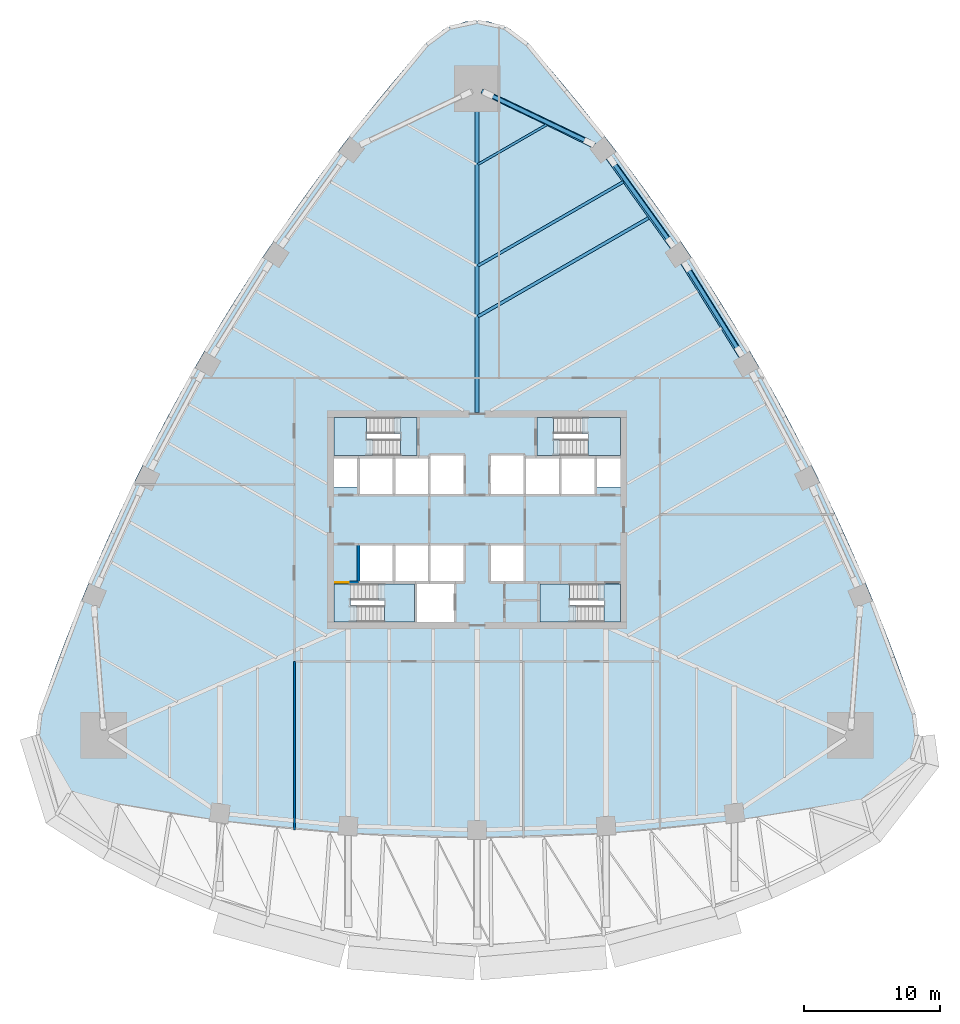
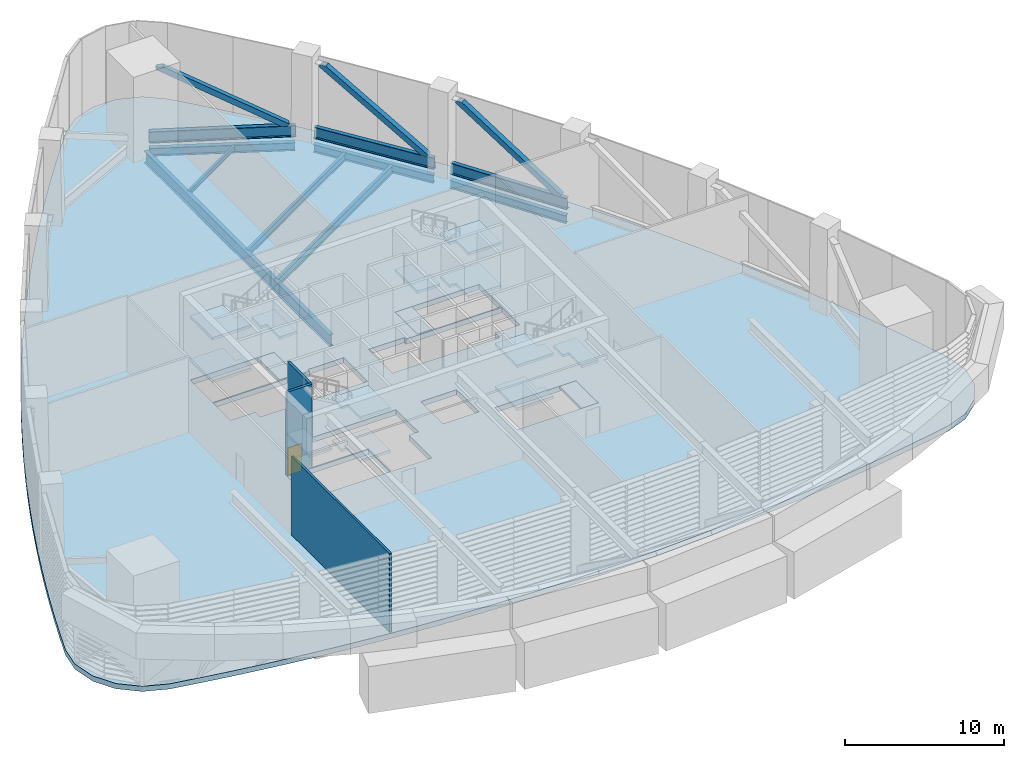
# One storey, part 3 of 15: 17 slabs, 10 beams, 3 members, 3 walls, 1 door, 1 opening, 4 elements without a shape of their own.
"""IFC4 building model written with IfcOpenShell, lengths in metres."""

from ifc_helpers import new_model, si_unit, direction, frame, frame_2d, origin, origin_2d, place, context, subcontext, project, spatial, polyline, rectangle, hollow_rectangle, i_section, outline, extrude, clip, halfspace, material, layer, layer_set, material_profile, profile_set, type_object, element, fill, aggregate, save


model = new_model("IFC4")

# Units and contexts
model_context = context("Model", 3, precision=1e-05, world=origin(), true_north=direction((0.0, 1.0)))
body_context = subcontext(model_context, "Body", "Model", "MODEL_VIEW")
ifc_project = project(units=[si_unit("LENGTHUNIT", "METRE"), si_unit("AREAUNIT", "SQUARE_METRE"), si_unit("VOLUMEUNIT", "CUBIC_METRE"), si_unit("PLANEANGLEUNIT", "RADIAN"), si_unit("MASSUNIT", "GRAM", prefix="KILO")], contexts=[model_context])

# Site, building, storey
site_placement = place(None, origin())
site = spatial("IfcSite", under=ifc_project, at=site_placement, CompositionType="ELEMENT")
building_placement = place(site_placement, origin())
building = spatial("IfcBuilding", under=site, at=building_placement, Name="Sierra Prisma Convention Tower", CompositionType="ELEMENT")
storey_placement = place(building_placement, frame((0.0, 0.0, 34.199951171875)))
storey = spatial("IfcBuildingStorey", under=building, at=storey_placement, Name="L05", CompositionType="ELEMENT", Elevation=34.199951171875)

# Beams
ifc_material_1 = material(Name="Steel ASTM A992 Gr 50", Category="steel")
ifc_material_profile_1 = material_profile(ifc_material_1, i_section(OverallWidth=0.172119140625, OverallDepth=0.35791015625, WebThickness=0.0078125, FlangeThickness=0.01318359375, at=origin_2d()), Name="W360x57")
ifc_profile_set_1 = profile_set([ifc_material_profile_1], Name="Steel ASTM A992 Gr 50")
beam_type_1 = type_object("IfcBeamType", Name="Floor joist W360x57", PredefinedType="JOIST", material=ifc_profile_set_1)
beam_1_placement = place(storey_placement, frame((5.099609375, 28.95703125, -0.578857421875), z_axis=(-0.866024171998, -0.500002133511, 0.0), x_axis=(0.500002133511, -0.866024171998, 0.0)))
element("IfcBeam", 1, at=beam_1_placement, inside=storey, type_object=beam_type_1, Name="Floor joist L05 NE16", PredefinedType="JOIST", context=body_context, shape_type="SweptSolid", body=[
    extrude(i_section(OverallWidth=0.172119140625, OverallDepth=0.35791015625, WebThickness=0.0078125, FlangeThickness=0.01318359375, at=origin_2d()), origin(), (0.0, 0.0, 1.0), 5.818359375),
])
ifc_material_2 = material(Name="Steel ASTM A992 Gr 50", Category="steel")
ifc_material_profile_2 = material_profile(ifc_material_2, i_section(OverallWidth=0.208984375, OverallDepth=0.532958984375, WebThickness=0.01025390625, FlangeThickness=0.015625, at=origin_2d()), Name="W530x92")
ifc_profile_set_2 = profile_set([ifc_material_profile_2], Name="Steel ASTM A992 Gr 50")
beam_type_2 = type_object("IfcBeamType", Name="Floor joist W530x92", PredefinedType="JOIST", material=ifc_profile_set_2)
beam_2_placement = place(storey_placement, frame((10.72021484375, 24.769775390625, -0.66650390625), z_axis=(-0.866031330991, -0.499989733636, 0.0), x_axis=(0.499989733636, -0.866031330991, 0.0)))
element("IfcBeam", 2, at=beam_2_placement, inside=storey, type_object=beam_type_2, Name="Floor joist L05 NE14", PredefinedType="JOIST", context=body_context, shape_type="SweptSolid", body=[
    extrude(i_section(OverallWidth=0.208984375, OverallDepth=0.532958984375, WebThickness=0.01025390625, FlangeThickness=0.015625, at=origin_2d()), origin(), (0.0, 0.0, 1.0), 12.308349609375),
])
ifc_material_3 = material(Name="Steel ASTM A992 Gr 50", Category="steel")
ifc_material_profile_3 = material_profile(ifc_material_3, i_section(OverallWidth=0.22802734375, OverallDepth=0.60302734375, WebThickness=0.010498046875, FlangeThickness=0.014892578125, at=origin_2d()), Name="W610x101")
ifc_profile_set_3 = profile_set([ifc_material_profile_3], Name="Steel ASTM A992 Gr 50")
beam_type_3 = type_object("IfcBeamType", Name="Floor joist W610x101", PredefinedType="JOIST", material=ifc_profile_set_3)
beam_3_placement = place(storey_placement, frame((12.60498046875, 22.14208984375, -0.701416015625), z_axis=(-0.866024193569, -0.500002096149, 0.0), x_axis=(0.500002096149, -0.866024193569, 0.0)))
element("IfcBeam", 3, at=beam_3_placement, inside=storey, type_object=beam_type_3, Name="Floor joist L05 NE13", PredefinedType="JOIST", context=body_context, shape_type="SweptSolid", body=[
    extrude(i_section(OverallWidth=0.22802734375, OverallDepth=0.60302734375, WebThickness=0.010498046875, FlangeThickness=0.014892578125, at=origin_2d()), origin(), (0.0, 0.0, 1.0), 14.48486328125),
])
ifc_material_4 = material(Name="Steel ASTM A992 Gr 50", Category="steel")
ifc_material_profile_4 = material_profile(ifc_material_4, i_section(OverallWidth=0.303955078125, OverallDepth=0.903076171875, WebThickness=0.01513671875, FlangeThickness=0.02001953125, at=origin_2d()), Name="W920x201")
ifc_profile_set_4 = profile_set([ifc_material_profile_4], Name="Steel ASTM A992 Gr 50")
beam_type_4 = type_object("IfcBeamType", Name="Radial girder W920x201", PredefinedType="BEAM", material=ifc_profile_set_4)
beam_4_placement = place(storey_placement, frame((0.0, 31.2470703125, -0.8515625), z_axis=(0.0, -1.0, 0.0), x_axis=(1.0, 0.0, 0.0)))
element("IfcBeam", 4, at=beam_4_placement, inside=storey, type_object=beam_type_4, Name="Radial girder L05 N", PredefinedType="BEAM", context=body_context, shape_type="SweptSolid", body=[
    extrude(i_section(OverallWidth=0.303955078125, OverallDepth=0.903076171875, WebThickness=0.01513671875, FlangeThickness=0.02001953125, at=origin_2d()), origin(), (0.0, 0.0, 1.0), 23.3671875),
])
ifc_material_5 = material(Name="Steel ASTM A992 Gr 50", Category="steel")
ifc_material_profile_5 = material_profile(ifc_material_5, i_section(OverallWidth=0.324951171875, OverallDepth=0.615966796875, WebThickness=0.013916015625, FlangeThickness=0.021484375, at=origin_2d()), Name="W610x174")
ifc_profile_set_5 = profile_set([ifc_material_profile_5], Name="Steel ASTM A992 Gr 50")
beam_type_5 = type_object("IfcBeamType", Name="Spandrel beam W610x174", PredefinedType="BEAM", material=ifc_profile_set_5)
beam_5_placement = place(storey_placement, frame((19.3955078125, 11.867919921875, -0.7080078125), z_axis=(-0.528185415417, 0.849129063771, 0.0), x_axis=(-0.849129063771, -0.528185415417, 0.0)))
element("IfcBeam", 5, at=beam_5_placement, inside=storey, type_object=beam_type_5, Name="Spandrel L05-10", PredefinedType="BEAM", context=body_context, shape_type="SweptSolid", body=[
    extrude(i_section(OverallWidth=0.324951171875, OverallDepth=0.615966796875, WebThickness=0.013916015625, FlangeThickness=0.021484375, at=origin_2d()), origin(), (0.0, 0.0, 1.0), 8.294677734375),
])
beam_6_placement = place(storey_placement, frame((14.36962890625, 19.87548828125, -0.7080078125), z_axis=(-0.582854647492, 0.812576433265, 0.0), x_axis=(-0.812576433265, -0.582854647492, 0.0)))
element("IfcBeam", 6, at=beam_6_placement, inside=storey, type_object=beam_type_5, Name="Spandrel L05-11", PredefinedType="BEAM", context=body_context, shape_type="SweptSolid", body=[
    extrude(i_section(OverallWidth=0.324951171875, OverallDepth=0.615966796875, WebThickness=0.013916015625, FlangeThickness=0.021484375, at=origin_2d()), origin(), (0.0, 0.0, 1.0), 8.294921875),
])
beam_7_placement = place(storey_placement, frame((8.6025390625, 27.3779296875, -0.7080078125), z_axis=(-0.89824258339, 0.439500012952, 0.0), x_axis=(-0.439500012952, -0.89824258339, 0.0)))
element("IfcBeam", 7, at=beam_7_placement, inside=storey, type_object=beam_type_5, Name="Spandrel L05-12", PredefinedType="BEAM", context=body_context, shape_type="SweptSolid", body=[
    extrude(i_section(OverallWidth=0.324951171875, OverallDepth=0.615966796875, WebThickness=0.013916015625, FlangeThickness=0.021484375, at=origin_2d()), origin(), (0.0, 0.0, 1.0), 9.198486328125),
])
ifc_material_6 = material(Name="Steel ASTM A992 Gr 50", Category="steel")
ifc_material_profile_6 = material_profile(ifc_material_6, i_section(OverallWidth=0.2919921875, OverallDepth=0.85888671875, WebThickness=0.017578125, FlangeThickness=0.031005859375, at=origin_2d()), Name="W840x251")
ifc_profile_set_6 = profile_set([ifc_material_profile_6], Name="Steel ASTM A992 Gr 50")
beam_type_6 = type_object("IfcBeamType", Name="Truss chord W840x251", PredefinedType="BEAM", material=ifc_profile_set_6)
beam_8_placement = place(storey_placement, frame((19.482177734375, 11.917724609375, 0.429443359375), z_axis=(-0.528186925878, 0.849128124214, 0.0), x_axis=(-0.849128124214, -0.528186925878, 0.0)))
element("IfcBeam", 8, at=beam_8_placement, inside=storey, type_object=beam_type_6, Name="Belt truss L05-10 bottom chord 1", PredefinedType="BEAM", context=body_context, shape_type="SweptSolid", body=[
    extrude(i_section(OverallWidth=0.2919921875, OverallDepth=0.85888671875, WebThickness=0.017578125, FlangeThickness=0.031005859375, at=origin_2d()), origin(), (0.0, 0.0, 1.0), 8.301513671875),
])
beam_9_placement = place(storey_placement, frame((14.45263671875, 19.93115234375, 0.429443359375), z_axis=(-0.582853421491, 0.812577312664, 0.0), x_axis=(-0.812577312664, -0.582853421491, 0.0)))
element("IfcBeam", 9, at=beam_9_placement, inside=storey, type_object=beam_type_6, Name="Belt truss L05-11 bottom chord 1", PredefinedType="BEAM", context=body_context, shape_type="SweptSolid", body=[
    extrude(i_section(OverallWidth=0.2919921875, OverallDepth=0.85888671875, WebThickness=0.017578125, FlangeThickness=0.031005859375, at=origin_2d()), origin(), (0.0, 0.0, 1.0), 8.30126953125),
])
beam_10_placement = place(storey_placement, frame((8.67626953125, 27.435302734375, 0.429443359375), z_axis=(-0.902043892828, 0.431644315857, 0.0), x_axis=(-0.431644315857, -0.902043892828, 0.0)))
element("IfcBeam", 10, at=beam_10_placement, inside=storey, type_object=beam_type_6, Name="Belt truss L05-12 bottom chord 1", PredefinedType="BEAM", context=body_context, shape_type="SweptSolid", body=[
    extrude(i_section(OverallWidth=0.2919921875, OverallDepth=0.85888671875, WebThickness=0.017578125, FlangeThickness=0.031005859375, at=origin_2d()), origin(), (0.0, 0.0, 1.0), 9.241455078125),
])

# Members
ifc_material_7 = material(Name="Steel ASTM A500 Gr C", Category="steel")
ifc_material_profile_7 = material_profile(ifc_material_7, hollow_rectangle(XDim=0.406005859375, YDim=0.406005859375, WallThickness=0.01904296875, at=origin_2d()), Name="Truss diagonal HSS 406x406x19")
ifc_profile_set_7 = profile_set([ifc_material_profile_7], Name="Steel ASTM A500 Gr C")
member_type = type_object("IfcMemberType", Name="Truss diagonal HSS 406x406x19", PredefinedType="BRACE", material=ifc_profile_set_7)
member_1_placement = place(storey_placement, frame((19.227783203125, 12.326904296875, 0.859130859375), z_axis=(-0.437205931734, 0.702817623064, 0.561158054355), x_axis=(-0.849112315449, -0.528212339645, 0.0)))
element("IfcMember", 11, at=member_1_placement, inside=storey, type_object=member_type, Name="Belt truss L05-10 diagonal 1", PredefinedType="BRACE", context=body_context, shape_type="SweptSolid", body=[
    clip(clip(extrude(hollow_rectangle(XDim=0.406005859375, YDim=0.406005859375, WallThickness=0.01904296875, at=origin_2d()), origin(), (0.0, 0.0, 1.0), 8.865234375), halfspace(frame((0.0, 0.01220703125, 0.00830078125), z_axis=(0.0, 0.827705372352, 0.561162914473), x_axis=(1.0, 0.0, 0.0)), True)), halfspace(frame((0.0, -0.01220703125, 8.85693359375), z_axis=(0.0, -0.827708667366, -0.561158054355), x_axis=(1.0, 0.0, 0.0)), True)),
])
member_2_placement = place(storey_placement, frame((14.171875, 20.322509765625, 0.859130859375), z_axis=(-0.482425653268, 0.672581443644, 0.561159238305), x_axis=(-0.812583125446, -0.582845317593, 0.0)))
element("IfcMember", 12, at=member_2_placement, inside=storey, type_object=member_type, Name="Belt truss L05-11 diagonal 1", PredefinedType="BRACE", context=body_context, shape_type="SweptSolid", body=[
    clip(clip(extrude(hollow_rectangle(XDim=0.406005859375, YDim=0.406005859375, WallThickness=0.01904296875, at=origin_2d()), origin(), (0.0, 0.0, 1.0), 8.865234375), halfspace(frame((0.0, 0.01220703125, 0.00830078125), z_axis=(0.0, 0.827705372352, 0.561162914473), x_axis=(1.0, 0.0, 0.0)), True)), halfspace(frame((0.0, -0.01220703125, 8.85693359375), z_axis=(0.0, -0.827707864687, -0.561159238305), x_axis=(1.0, 0.0, 0.0)), True)),
])
member_3_placement = place(storey_placement, frame((8.21435546875, 27.65625, 0.859130859375), z_axis=(-0.771652471457, 0.369255607595, 0.51788295932), x_axis=(-0.431649970526, -0.902041186945, 0.0)))
element("IfcMember", 13, at=member_3_placement, inside=storey, type_object=member_type, Name="Belt truss L05-12 diagonal 1", PredefinedType="BRACE", context=body_context, shape_type="SweptSolid", body=[
    clip(clip(extrude(hollow_rectangle(XDim=0.406005859375, YDim=0.406005859375, WallThickness=0.01904296875, at=origin_2d()), origin(), (0.0, 0.0, 1.0), 9.606201171875), halfspace(frame((0.0, 0.0126953125, 0.0078125), z_axis=(0.0, 0.855451483397, 0.51788295932), x_axis=(1.0, 0.0, 0.0)), True)), halfspace(frame((0.0, -0.0126953125, 9.598388671875), z_axis=(0.0, -0.855451483397, -0.51788295932), x_axis=(1.0, 0.0, 0.0)), True)),
])

# Stair, slabs
ifc_material_8 = material(Name="Concrete C30/37", Category="concrete")
stair_type = type_object("IfcStairType", Name="Stair dog-leg 1200 RC", PredefinedType="HALF_TURN_STAIR", material=ifc_material_8)
stair_1_placement = place(storey_placement, origin())
stair_1 = element("IfcStair", 14, at=stair_1_placement, inside=storey, type_object=stair_type, Name="L05 S1", PredefinedType="HALF_TURN_STAIR")
ifc_material_9 = material(Name="Concrete C35/45", Category="concrete")
ifc_layer_1 = layer(ifc_material_9, 0.199951171875)
ifc_layer_set_1 = layer_set([ifc_layer_1], Name="Stair landing slab")
slab_type_1 = type_object("IfcSlabType", Name="Stair landing slab", PredefinedType="LANDING", material=ifc_layer_set_1)
slab_1_placement = place(storey_placement, frame((0.0, 0.0, 1.449951171875)))
slab_1 = element("IfcSlab", 15, at=slab_1_placement, type_object=slab_type_1, Name="S1 landing 1", PredefinedType="LANDING", context=body_context, shape_type="SweptSolid", body=[
    extrude(outline(polyline([(-4.60009765625, -4.699951171875), (-4.60009765625, -7.5), (-6.781982421875, -7.5), (-6.781982421875, -5.89990234375), (-7.22998046875, -5.89990234375), (-7.22998046875, -4.699951171875), (-4.60009765625, -4.699951171875)])), origin(), (0.0, 0.0, 1.0), 0.2001953125),
])
slab_2_placement = place(storey_placement, frame((0.0, 0.0, 3.10009765625)))
slab_2 = element("IfcSlab", 16, at=slab_2_placement, type_object=slab_type_1, Name="S1 landing 2", PredefinedType="LANDING", context=body_context, shape_type="SweptSolid", body=[
    extrude(outline(polyline([(-10.5, -7.5), (-10.5, -4.699951171875), (-9.298095703125, -4.699951171875), (-9.298095703125, -6.300048828125), (-8.85009765625, -6.300048828125), (-8.85009765625, -7.5), (-10.5, -7.5)])), origin(), (0.0, 0.0, 1.0), 0.199951171875),
])
slab_3_placement = place(storey_placement, frame((0.0, 0.0, 4.75)))
slab_3 = element("IfcSlab", 17, at=slab_3_placement, type_object=slab_type_1, Name="S1 landing 3", PredefinedType="LANDING", context=body_context, shape_type="SweptSolid", body=[
    extrude(outline(polyline([(-4.60009765625, -4.699951171875), (-4.60009765625, -7.5), (-6.781982421875, -7.5), (-6.781982421875, -5.89990234375), (-7.22998046875, -5.89990234375), (-7.22998046875, -4.699951171875), (-4.60009765625, -4.699951171875)])), origin(), (0.0, 0.0, 1.0), 0.199951171875),
])
aggregate(stair_1, [slab_1, slab_2, slab_3])

# Slab
slab_4_placement = place(storey_placement, frame((0.0, 0.0, -0.199951171875)))
element("IfcSlab", 18, at=slab_4_placement, inside=storey, type_object=slab_type_1, Name="S1 floor landing L05", PredefinedType="LANDING", context=body_context, shape_type="SweptSolid", body=[
    extrude(outline(polyline([(-10.5, -7.5), (-9.298095703125, -7.5), (-9.298095703125, -4.699951171875), (-10.5, -4.699951171875), (-10.5, -7.5)])), origin(), (0.0, 0.0, 1.0), 0.199951171875),
])

# Stair, slabs
stair_2_placement = place(storey_placement, origin())
stair_2 = element("IfcStair", 19, at=stair_2_placement, inside=storey, type_object=stair_type, Name="L05 S2", PredefinedType="HALF_TURN_STAIR")
slab_5_placement = place(storey_placement, frame((0.0, 0.0, 1.449951171875)))
slab_5 = element("IfcSlab", 20, at=slab_5_placement, type_object=slab_type_1, Name="S2 landing 1", PredefinedType="LANDING", context=body_context, shape_type="SweptSolid", body=[
    extrude(outline(polyline([(7.22998046875, -6.300048828125), (7.22998046875, -7.5), (4.60009765625, -7.5), (4.60009765625, -4.699951171875), (6.781982421875, -4.699951171875), (6.781982421875, -6.300048828125), (7.22998046875, -6.300048828125)])), origin(), (0.0, 0.0, 1.0), 0.2001953125),
])
slab_6_placement = place(storey_placement, frame((0.0, 0.0, 3.10009765625)))
slab_6 = element("IfcSlab", 21, at=slab_6_placement, type_object=slab_type_1, Name="S2 landing 2", PredefinedType="LANDING", context=body_context, shape_type="SweptSolid", body=[
    extrude(outline(polyline([(10.5, -4.699951171875), (10.5, -7.5), (9.298095703125, -7.5), (9.298095703125, -5.89990234375), (8.85009765625, -5.89990234375), (8.85009765625, -4.699951171875), (10.5, -4.699951171875)])), origin(), (0.0, 0.0, 1.0), 0.199951171875),
])
slab_7_placement = place(storey_placement, frame((0.0, 0.0, 4.75)))
slab_7 = element("IfcSlab", 22, at=slab_7_placement, type_object=slab_type_1, Name="S2 landing 3", PredefinedType="LANDING", context=body_context, shape_type="SweptSolid", body=[
    extrude(outline(polyline([(7.22998046875, -6.300048828125), (7.22998046875, -7.5), (4.60009765625, -7.5), (4.60009765625, -4.699951171875), (6.781982421875, -4.699951171875), (6.781982421875, -6.300048828125), (7.22998046875, -6.300048828125)])), origin(), (0.0, 0.0, 1.0), 0.199951171875),
])
aggregate(stair_2, [slab_5, slab_6, slab_7])

# Slab
slab_8_placement = place(storey_placement, frame((0.0, 0.0, -0.199951171875)))
element("IfcSlab", 23, at=slab_8_placement, inside=storey, type_object=slab_type_1, Name="S2 floor landing L05", PredefinedType="LANDING", context=body_context, shape_type="SweptSolid", body=[
    extrude(outline(polyline([(10.5, -4.699951171875), (9.298095703125, -4.699951171875), (9.298095703125, -7.5), (10.5, -7.5), (10.5, -4.699951171875)])), origin(), (0.0, 0.0, 1.0), 0.199951171875),
])

# Stair, slabs
stair_3_placement = place(storey_placement, origin())
stair_3 = element("IfcStair", 24, at=stair_3_placement, inside=storey, type_object=stair_type, Name="L05 S3", PredefinedType="HALF_TURN_STAIR")
slab_9_placement = place(storey_placement, frame((0.0, 0.0, 1.449951171875)))
slab_9 = element("IfcSlab", 25, at=slab_9_placement, type_object=slab_type_1, Name="S3 landing 1", PredefinedType="LANDING", context=body_context, shape_type="SweptSolid", body=[
    extrude(outline(polyline([(-7.669921875, 5.89990234375), (-7.669921875, 4.699951171875), (-10.5, 4.699951171875), (-10.5, 7.5), (-8.117919921875, 7.5), (-8.117919921875, 5.89990234375), (-7.669921875, 5.89990234375)])), origin(), (0.0, 0.0, 1.0), 0.2001953125),
])
slab_10_placement = place(storey_placement, frame((0.0, 0.0, 3.10009765625)))
slab_10 = element("IfcSlab", 26, at=slab_10_placement, type_object=slab_type_1, Name="S3 landing 2", PredefinedType="LANDING", context=body_context, shape_type="SweptSolid", body=[
    extrude(outline(polyline([(-4.39990234375, 7.5), (-4.39990234375, 4.699951171875), (-5.60205078125, 4.699951171875), (-5.60205078125, 6.300048828125), (-6.050048828125, 6.300048828125), (-6.050048828125, 7.5), (-4.39990234375, 7.5)])), origin(), (0.0, 0.0, 1.0), 0.199951171875),
])
slab_11_placement = place(storey_placement, frame((0.0, 0.0, 4.75)))
slab_11 = element("IfcSlab", 27, at=slab_11_placement, type_object=slab_type_1, Name="S3 landing 3", PredefinedType="LANDING", context=body_context, shape_type="SweptSolid", body=[
    extrude(outline(polyline([(-7.669921875, 5.89990234375), (-7.669921875, 4.699951171875), (-10.5, 4.699951171875), (-10.5, 7.5), (-8.117919921875, 7.5), (-8.117919921875, 5.89990234375), (-7.669921875, 5.89990234375)])), origin(), (0.0, 0.0, 1.0), 0.199951171875),
])
aggregate(stair_3, [slab_9, slab_10, slab_11])

# Slab
slab_12_placement = place(storey_placement, frame((0.0, 0.0, -0.199951171875)))
element("IfcSlab", 28, at=slab_12_placement, inside=storey, type_object=slab_type_1, Name="S3 floor landing L05", PredefinedType="LANDING", context=body_context, shape_type="SweptSolid", body=[
    extrude(outline(polyline([(-4.39990234375, 7.5), (-5.60205078125, 7.5), (-5.60205078125, 4.699951171875), (-4.39990234375, 4.699951171875), (-4.39990234375, 7.5)])), origin(), (0.0, 0.0, 1.0), 0.199951171875),
])

# Stair, slabs
stair_4_placement = place(storey_placement, origin())
stair_4 = element("IfcStair", 29, at=stair_4_placement, inside=storey, type_object=stair_type, Name="L05 S4", PredefinedType="HALF_TURN_STAIR")
slab_13_placement = place(storey_placement, frame((0.0, 0.0, 1.449951171875)))
slab_13 = element("IfcSlab", 30, at=slab_13_placement, type_object=slab_type_1, Name="S4 landing 1", PredefinedType="LANDING", context=body_context, shape_type="SweptSolid", body=[
    extrude(outline(polyline([(10.5, 7.5), (10.5, 4.699951171875), (8.117919921875, 4.699951171875), (8.117919921875, 6.300048828125), (7.669921875, 6.300048828125), (7.669921875, 7.5), (10.5, 7.5)])), origin(), (0.0, 0.0, 1.0), 0.2001953125),
])
slab_14_placement = place(storey_placement, frame((0.0, 0.0, 3.10009765625)))
slab_14 = element("IfcSlab", 31, at=slab_14_placement, type_object=slab_type_1, Name="S4 landing 2", PredefinedType="LANDING", context=body_context, shape_type="SweptSolid", body=[
    extrude(outline(polyline([(4.39990234375, 4.699951171875), (4.39990234375, 7.5), (5.60205078125, 7.5), (5.60205078125, 5.89990234375), (6.050048828125, 5.89990234375), (6.050048828125, 4.699951171875), (4.39990234375, 4.699951171875)])), origin(), (0.0, 0.0, 1.0), 0.199951171875),
])
slab_15_placement = place(storey_placement, frame((0.0, 0.0, 4.75)))
slab_15 = element("IfcSlab", 32, at=slab_15_placement, type_object=slab_type_1, Name="S4 landing 3", PredefinedType="LANDING", context=body_context, shape_type="SweptSolid", body=[
    extrude(outline(polyline([(10.5, 7.5), (10.5, 4.699951171875), (8.117919921875, 4.699951171875), (8.117919921875, 6.300048828125), (7.669921875, 6.300048828125), (7.669921875, 7.5), (10.5, 7.5)])), origin(), (0.0, 0.0, 1.0), 0.199951171875),
])
aggregate(stair_4, [slab_13, slab_14, slab_15])

# Slabs
slab_16_placement = place(storey_placement, frame((0.0, 0.0, -0.199951171875)))
element("IfcSlab", 33, at=slab_16_placement, inside=storey, type_object=slab_type_1, Name="S4 floor landing L05", PredefinedType="LANDING", context=body_context, shape_type="SweptSolid", body=[
    extrude(outline(polyline([(4.39990234375, 4.699951171875), (5.60205078125, 4.699951171875), (5.60205078125, 7.5), (4.39990234375, 7.5), (4.39990234375, 4.699951171875)])), origin(), (0.0, 0.0, 1.0), 0.199951171875),
])
ifc_material_10 = material(Name="Concrete C35/45", Category="concrete")
ifc_layer_2 = layer(ifc_material_10, 0.39990234375)
ifc_layer_set_2 = layer_set([ifc_layer_2], Name="Transfer floor slab 400")
slab_type_2 = type_object("IfcSlabType", Name="Transfer floor slab 400", PredefinedType="FLOOR", material=ifc_layer_set_2)
slab_17_placement = place(storey_placement, frame((0.0, 0.0, -0.39990234375)))
element("IfcSlab", 34, at=slab_17_placement, inside=storey, type_object=slab_type_2, Name="Floor slab L05 floor", PredefinedType="FLOOR", context=body_context, shape_type="SweptSolid", body=[
    extrude(outline(polyline([(-28.3349609375, -20.696533203125), (-26.403564453125, -21.06884765625), (-24.467529296875, -21.414794921875), (-22.52685546875, -21.734375), (-20.581787109375, -22.027587890625), (-18.63330078125, -22.29443359375), (-16.68115234375, -22.53466796875), (-14.725830078125, -22.748291015625), (-12.767822265625, -22.93505859375), (-10.8076171875, -23.095458984375), (-8.845458984375, -23.229248046875), (-6.88134765625, -23.336181640625), (-4.916259765625, -23.41650390625), (-2.9501953125, -23.469970703125), (-0.9833984375, -23.49658203125), (0.9833984375, -23.49658203125), (2.9501953125, -23.469970703125), (4.916259765625, -23.41650390625), (6.88134765625, -23.336181640625), (8.845458984375, -23.229248046875), (10.8076171875, -23.095458984375), (12.767822265625, -22.93505859375), (14.725830078125, -22.748291015625), (16.68115234375, -22.53466796875), (18.63330078125, -22.29443359375), (20.581787109375, -22.027587890625), (22.52685546875, -21.734375), (24.467529296875, -21.414794921875), (26.403564453125, -21.06884765625), (28.3349609375, -20.696533203125), (29.913818359375, -20.089111328125), (31.199951171875, -18.989990234375), (32.045654296875, -17.52490234375), (32.354736328125, -15.861572265625), (32.091064453125, -14.1904296875), (31.447998046875, -12.331787109375), (30.779541015625, -10.48193359375), (30.0859375, -8.6416015625), (29.367431640625, -6.810546875), (28.6240234375, -4.98974609375), (27.85595703125, -3.178955078125), (27.0634765625, -1.37890625), (26.246337890625, 0.41015625), (25.405029296875, 2.18798828125), (24.539794921875, 3.954345703125), (23.650390625, 5.70849609375), (22.7373046875, 7.45068359375), (21.800537109375, 9.18017578125), (20.84033203125, 10.896728515625), (19.85693359375, 12.60009765625), (18.8505859375, 14.289794921875), (17.821044921875, 15.9658203125), (16.76904296875, 17.62744140625), (15.6943359375, 19.27490234375), (14.597412109375, 20.907470703125), (13.478515625, 22.52490234375), (12.337646484375, 24.126953125), (11.175048828125, 25.713623046875), (9.990966796875, 27.283935546875), (8.78564453125, 28.83837890625), (7.559326171875, 30.3759765625), (6.31201171875, 31.89697265625), (5.04443359375, 33.400634765625), (3.75634765625, 34.886962890625), (2.440673828125, 35.95068359375), (0.845947265625, 36.514892578125), (-0.845947265625, 36.514892578125), (-2.440673828125, 35.95068359375), (-3.75634765625, 34.886962890625), (-5.04443359375, 33.400634765625), (-6.31201171875, 31.89697265625), (-7.559326171875, 30.3759765625), (-8.78564453125, 28.83837890625), (-9.990966796875, 27.283935546875), (-11.175048828125, 25.713623046875), (-12.337646484375, 24.126953125), (-13.478515625, 22.52490234375), (-14.597412109375, 20.907470703125), (-15.6943359375, 19.27490234375), (-16.76904296875, 17.62744140625), (-17.821044921875, 15.9658203125), (-18.8505859375, 14.289794921875), (-19.85693359375, 12.60009765625), (-20.84033203125, 10.896728515625), (-21.800537109375, 9.18017578125), (-22.7373046875, 7.45068359375), (-23.650390625, 5.70849609375), (-24.539794921875, 3.954345703125), (-25.405029296875, 2.18798828125), (-26.246337890625, 0.41015625), (-27.0634765625, -1.37890625), (-27.85595703125, -3.178955078125), (-28.6240234375, -4.98974609375), (-29.367431640625, -6.810546875), (-30.0859375, -8.6416015625), (-30.779541015625, -10.48193359375), (-31.447998046875, -12.331787109375), (-32.091064453125, -14.1904296875), (-32.354736328125, -15.861572265625), (-32.045654296875, -17.52490234375), (-31.199951171875, -18.989990234375), (-29.913818359375, -20.089111328125), (-28.3349609375, -20.696533203125)]), holes=[polyline([(-4.60009765625, -7.5), (-10.5, -7.5), (-10.5, -4.699951171875), (-4.60009765625, -4.699951171875), (-4.60009765625, -7.5)]), polyline([(-8.699951171875, -4.60009765625), (-8.699951171875, -1.800048828125), (-6.10009765625, -1.800048828125), (-3.5, -1.800048828125), (-0.89990234375, -1.800048828125), (-0.89990234375, -4.60009765625), (-1.60009765625, -4.60009765625), (-1.60009765625, -7.5), (-4.5, -7.5), (-4.5, -4.60009765625), (-6.10009765625, -4.60009765625), (-8.699951171875, -4.60009765625)]), polyline([(-10.5, 4.60009765625), (-8.699951171875, 4.60009765625), (-6.10009765625, 4.60009765625), (-3.5, 4.60009765625), (-3.5, 4.800048828125), (-0.89990234375, 4.800048828125), (-0.89990234375, 1.800048828125), (-3.5, 1.800048828125), (-6.10009765625, 1.800048828125), (-8.699951171875, 1.800048828125), (-8.699951171875, 2.39990234375), (-10.5, 2.39990234375), (-10.5, 4.60009765625)]), polyline([(-4.39990234375, 4.699951171875), (-10.5, 4.699951171875), (-10.5, 7.5), (-4.39990234375, 7.5), (-4.39990234375, 4.699951171875)]), polyline([(10.5, -7.5), (4.60009765625, -7.5), (4.60009765625, -4.699951171875), (10.5, -4.699951171875), (10.5, -7.5)]), polyline([(3.5, -4.60009765625), (0.89990234375, -4.60009765625), (0.89990234375, -1.800048828125), (3.5, -1.800048828125), (3.5, -4.60009765625)]), polyline([(10.5, 4.60009765625), (10.5, 2.39990234375), (8.699951171875, 2.39990234375), (8.699951171875, 1.800048828125), (6.10009765625, 1.800048828125), (3.5, 1.800048828125), (0.89990234375, 1.800048828125), (0.89990234375, 4.800048828125), (3.5, 4.800048828125), (3.5, 4.60009765625), (6.10009765625, 4.60009765625), (8.699951171875, 4.60009765625), (10.5, 4.60009765625)]), polyline([(4.39990234375, 4.699951171875), (4.39990234375, 7.5), (10.5, 7.5), (10.5, 4.699951171875), (4.39990234375, 4.699951171875)])]), origin(), (0.0, 0.0, 1.0), 0.39990234375),
])

# Wall, opening, door
ifc_material_11 = material(Name="Concrete C30/37", Category="concrete")
ifc_layer_3 = layer(ifc_material_11, 0.199951171875)
ifc_layer_set_3 = layer_set([ifc_layer_3], Name="Core wall RC 200 C30/37")
wall_type_1 = type_object("IfcWallType", Name="Core wall RC 200 C30/37", PredefinedType="SOLIDWALL", material=ifc_layer_set_3)
wall_1_placement = place(storey_placement, frame((-10.5, -4.60009765625, 0.0), z_axis=(0.0, 0.0, 1.0), x_axis=(1.0, 0.0, 0.0)))
wall_1 = element("IfcWall", 35, at=wall_1_placement, inside=storey, type_object=wall_type_1, Name="Core wall L05 1", PredefinedType="SOLIDWALL", context=body_context, shape_type="SweptSolid", body=[
    extrude(rectangle(XDim=1.800048828125, YDim=0.199951171875, at=frame_2d((0.89990234375, 0.0))), origin(), (0.0, 0.0, 1.0), 6.449951171875),
])
opening_placement = place(wall_1_placement, frame((0.10009765625, 0.0, 0.0)))
opening = element("IfcOpeningElement", 36, at=opening_placement, cuts=wall_1, Name="Opening L05-D012", PredefinedType="OPENING", context=body_context, shape_type="SweptSolid", body=[
    extrude(rectangle(XDim=1.0, YDim=2.10009765625, at=frame_2d((0.5, 1.050048828125))), frame((0.0, 0.10009765625, 0.0), z_axis=(0.0, -1.0, 0.0), x_axis=(1.0, 0.0, 0.0)), (0.0, 0.0, 1.0), 0.199951171875),
])
ifc_material_12 = material(Name="Steel fire door leaf", Category="steel")
door_type = type_object("IfcDoorType", Name="Door 1000x2100 FD90S", OperationType="SINGLE_SWING_LEFT", PredefinedType="DOOR", material=ifc_material_12)
door_placement = place(opening_placement, origin())
door = element("IfcDoor", 37, at=door_placement, inside=storey, type_object=door_type, Name="Door L05 20", OperationType="SINGLE_SWING_LEFT", OverallHeight=2.10009765625, OverallWidth=1.0, PredefinedType="DOOR", context=body_context, shape_type="SweptSolid", body=[
    extrude(rectangle(XDim=1.0, YDim=2.10009765625, at=frame_2d((0.5, 1.050048828125))), frame((0.0, 0.02490234375, 0.0), z_axis=(0.0, -1.0, 0.0), x_axis=(1.0, 0.0, 0.0)), (0.0, 0.0, 1.0), 0.050048828125),
])
fill(opening, door)

# Walls
wall_2_placement = place(storey_placement, frame((-8.699951171875, -4.60009765625, 0.0), z_axis=(0.0, 0.0, 1.0), x_axis=(0.0, 1.0, 0.0)))
element("IfcWall", 38, at=wall_2_placement, inside=storey, type_object=wall_type_1, Name="Core wall L05 6", PredefinedType="SOLIDWALL", context=body_context, shape_type="SweptSolid", body=[
    extrude(rectangle(XDim=2.800048828125, YDim=0.199951171875, at=frame_2d((1.39990234375, 0.0))), origin(), (0.0, 0.0, 1.0), 6.449951171875),
])
ifc_material_13 = material(Name="Gypsum board partition", Category="gypsum")
ifc_layer_4 = layer(ifc_material_13, 0.14990234375)
ifc_layer_set_4 = layer_set([ifc_layer_4], Name="Party wall 150 gypsum")
wall_type_2 = type_object("IfcWallType", Name="Party wall 150 gypsum", PredefinedType="PARTITIONING", material=ifc_layer_set_4)
wall_3_placement = place(storey_placement, frame((-13.39990234375, -10.39990234375, 0.0), z_axis=(0.0, 0.0, 1.0), x_axis=(0.0, -1.0, 0.0)))
element("IfcWall", 39, at=wall_3_placement, inside=storey, type_object=wall_type_2, Name="Partition L05 party 3", PredefinedType="PARTITIONING", context=body_context, shape_type="SweptSolid", body=[
    extrude(rectangle(XDim=12.3544921875, YDim=0.14990234375, at=frame_2d((6.17724609375, 0.0))), origin(), (0.0, 0.0, 1.0), 6.050048828125),
])

save(model, "model.ifc")
